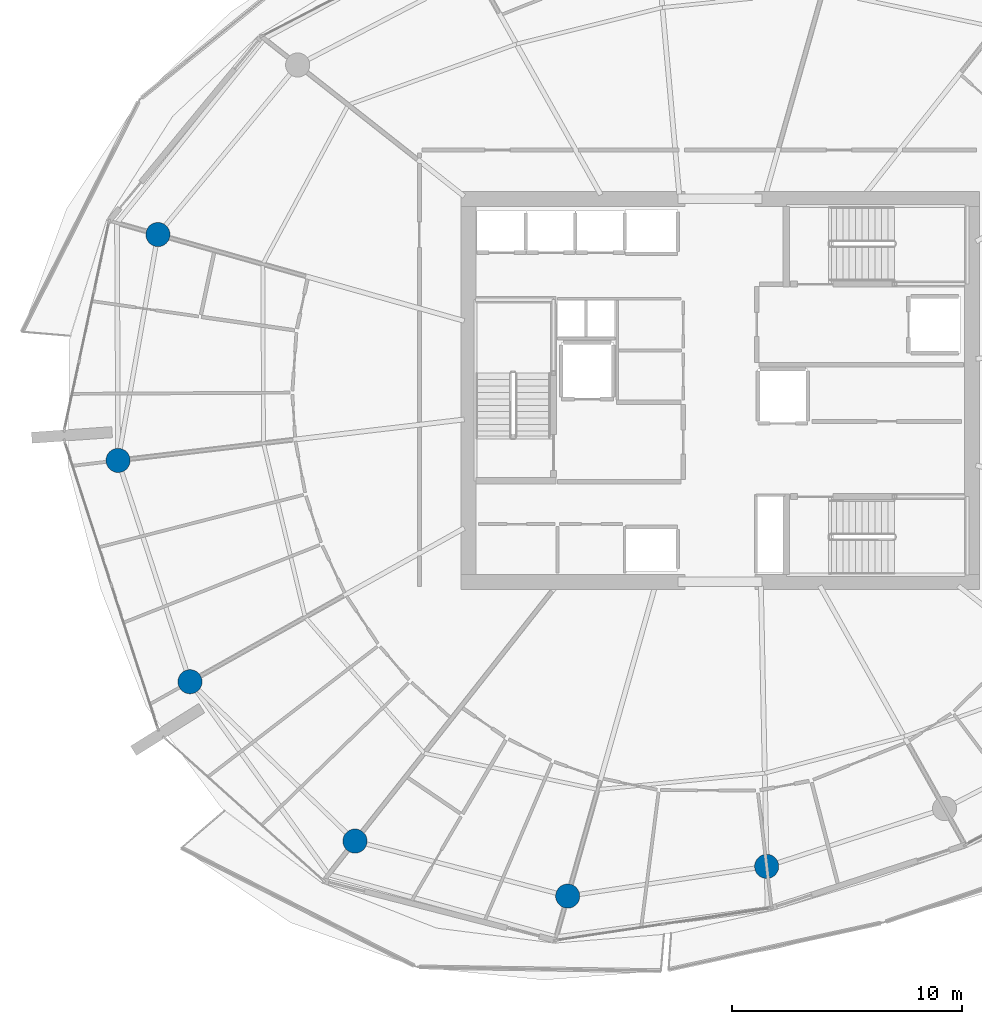
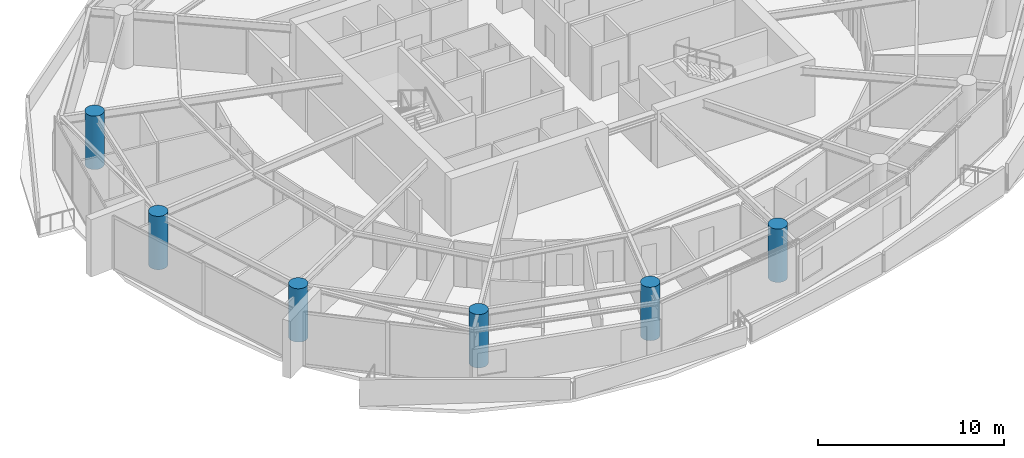
# One storey, part 1 of 21: 6 columns.
"""IFC4 building model written with IfcOpenShell, lengths in metres."""

from ifc_helpers import new_model, si_unit, direction, frame, origin, origin_2d, place, context, subcontext, project, spatial, circle, extrude, material, material_profile, profile_set, type_object, element, save


model = new_model("IFC4")

# Units and contexts
model_context = context("Model", 3, precision=1e-05, world=origin(), true_north=direction((0.0, 1.0)))
body_context = subcontext(model_context, "Body", "Model", "MODEL_VIEW")
ifc_project = project(units=[si_unit("LENGTHUNIT", "METRE"), si_unit("AREAUNIT", "SQUARE_METRE"), si_unit("VOLUMEUNIT", "CUBIC_METRE"), si_unit("PLANEANGLEUNIT", "RADIAN"), si_unit("MASSUNIT", "GRAM", prefix="KILO")], contexts=[model_context])

# Site, building, storey
site_placement = place(None, origin())
site = spatial("IfcSite", under=ifc_project, at=site_placement, CompositionType="ELEMENT")
building_placement = place(site_placement, origin())
building = spatial("IfcBuilding", under=site, at=building_placement, Name="Kazma Halo Residences", CompositionType="ELEMENT")
storey_placement = place(building_placement, frame((0.0, 0.0, 187.800048828125)))
storey = spatial("IfcBuildingStorey", under=building, at=storey_placement, Name="L47", CompositionType="ELEMENT", Elevation=187.800048828125)

# Columns
ifc_material = material(Name="Concrete C80/95", Category="concrete")
ifc_material_profile = material_profile(ifc_material, circle(Radius=0.52490234375, at=origin_2d()), Name="CIRC1050")
ifc_profile_set = profile_set([ifc_material_profile], Name="Concrete C80/95")
column_type = type_object("IfcColumnType", Name="COL-PERIM-1050", PredefinedType="COLUMN", material=ifc_profile_set)
for number, where, z_axis, x_axis, name in (
    (1, (23.980224609375, 48.7744140625, 0.0), (0.0, 0.0, 1.0), (1.0, 0.0, 0.0), "L47 perimeter ring column P07"),
    (2, (22.248291015625, 38.9521484375, 0.0), (0.0, 0.0, 1.0), (1.0, 0.0, 0.0), "L47 perimeter ring column P08"),
    (3, (25.375, 29.329345703125, 0.0), (0.0, 0.0, 1.0), (1.0, 0.0, 0.0), "L47 perimeter ring column P09"),
    (4, (32.54931640625, 22.401123046875, 0.0), (0.0, 0.0, 1.0), (1.0, 0.0, 0.0), "L47 perimeter ring column P10"),
    (5, (41.797607421875, 20.00830078125, 0.0), (0.0, 0.0, 1.0), (1.0, 0.0, 0.0), "L47 perimeter ring column P11"),
    (6, (50.449951171875, 21.30029296875, 0.0), (0.0, 0.0, 1.0), (1.0, 0.0, 0.0), "L47 perimeter ring column P12"),
):
    element("IfcColumn", number, at=place(storey_placement, frame(where, z_axis=z_axis, x_axis=x_axis)), inside=storey, type_object=column_type, Name=name, PredefinedType="COLUMN", context=body_context, shape_type="SweptSolid", body=[
        extrude(circle(Radius=0.52490234375, at=origin_2d()), origin(), (0.0, 0.0, 1.0), 3.5),
    ])

save(model, "model.ifc")
